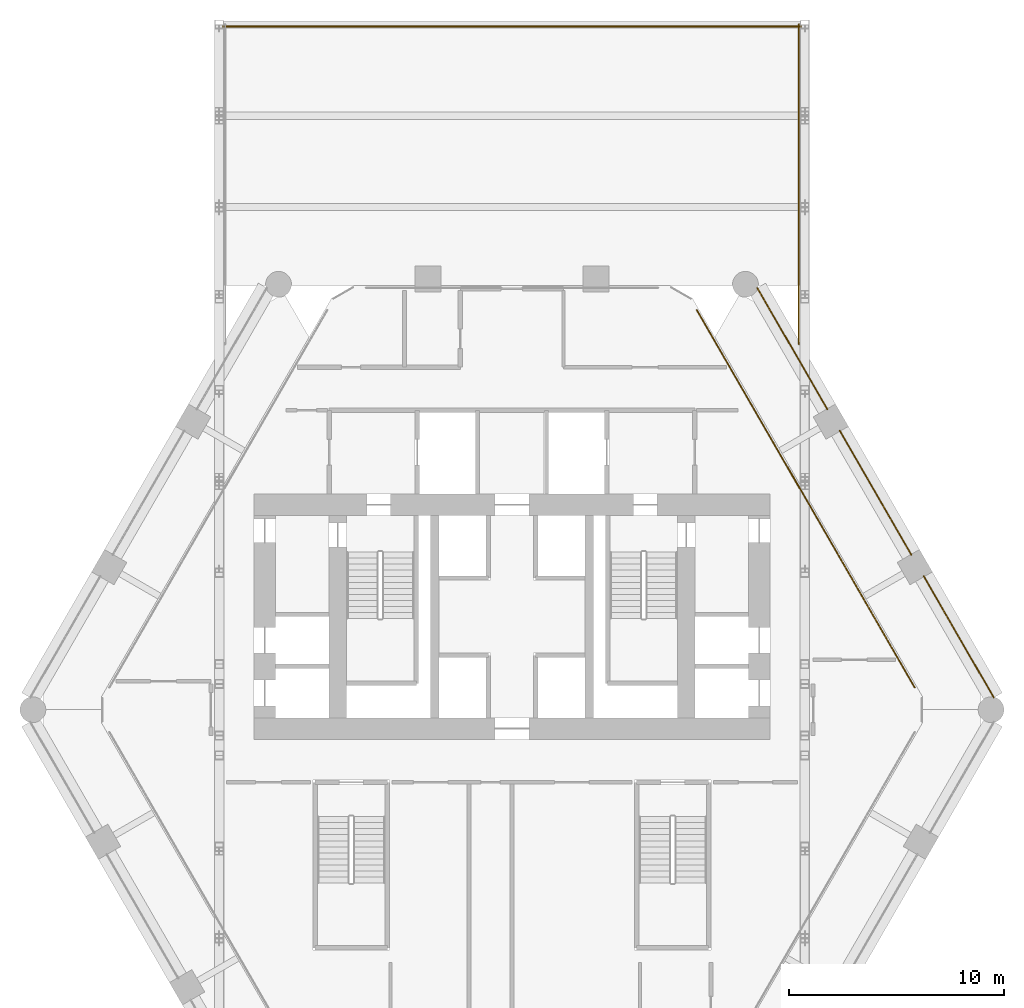
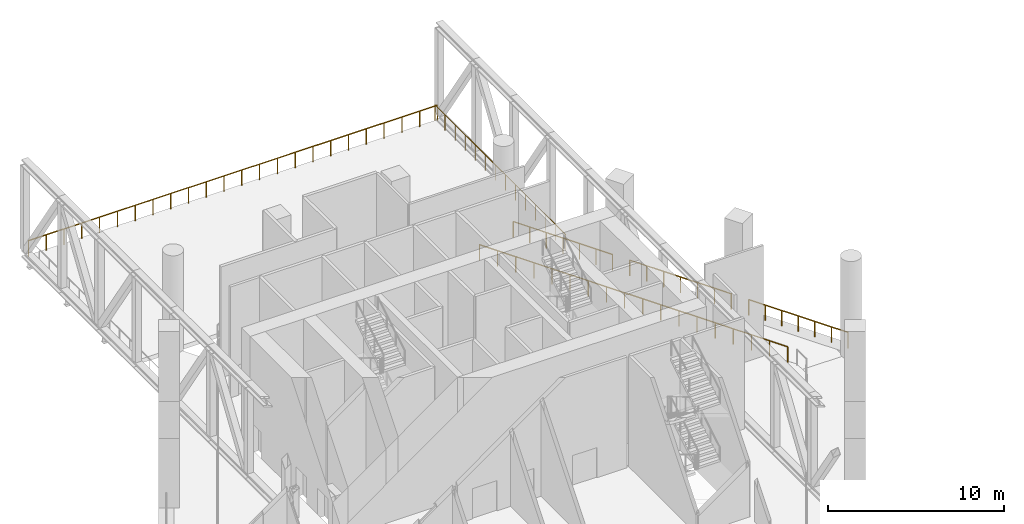
# One storey, part 16 of 16: 6 railings.
"""IFC4 building model written with IfcOpenShell, lengths in metres."""

from ifc_helpers import new_model, si_unit, direction, frame, origin, origin_2d, place, context, subcontext, project, spatial, circle, extrude, material, type_object, element, save


model = new_model("IFC4")

# Units and contexts
model_context = context("Model", 3, precision=1e-05, world=origin(), true_north=direction((0.0, 1.0)))
body_context = subcontext(model_context, "Body", "Model", "MODEL_VIEW")
ifc_project = project(units=[si_unit("LENGTHUNIT", "METRE"), si_unit("AREAUNIT", "SQUARE_METRE"), si_unit("VOLUMEUNIT", "CUBIC_METRE"), si_unit("PLANEANGLEUNIT", "RADIAN"), si_unit("MASSUNIT", "GRAM", prefix="KILO")], contexts=[model_context])

# Site, building, storey
site_placement = place(None, origin())
site = spatial("IfcSite", under=ifc_project, at=site_placement, CompositionType="ELEMENT")
building_placement = place(site_placement, origin())
building = spatial("IfcBuilding", under=site, at=building_placement, Name="Ostrander Bayou Hotel Tower", CompositionType="ELEMENT")
storey_placement = place(building_placement, frame((0.0, 0.0, 108.0)))
storey = spatial("IfcBuildingStorey", under=building, at=storey_placement, Name="L27", CompositionType="ELEMENT", Elevation=108.0)

# Railings
ifc_material = material(Name="Stainless steel and clear glass", Category="steel")
railing_type = type_object("IfcRailingType", Name="GR1 guard 1100 mm", PredefinedType="GUARDRAIL", material=ifc_material)
railing_1_placement = place(storey_placement, frame((22.406494140625, 0.236328125, 0.0)))
element("IfcRailing", 1, at=railing_1_placement, inside=storey, type_object=railing_type, Name="GR1 L27 NE-1 open band guard", PredefinedType="GUARDRAIL", context=body_context, shape_type="SweptSolid", body=[
    extrude(circle(Radius=0.02490234375, at=origin_2d()), frame((0.0, 0.0, 1.0751953125), z_axis=(-0.500000042739, 0.866025379109, 0.0), x_axis=(-0.866025379109, -0.500000042739, 0.0)), (0.0, 0.0, 1.0), 6.52197265625),
    extrude(circle(Radius=0.02001953125, at=origin_2d()), origin(), (0.0, 0.0, 1.0), 1.050048828125),
    extrude(circle(Radius=0.02001953125, at=origin_2d()), frame((-0.54345703125, 0.94140625, 0.0)), (0.0, 0.0, 1.0), 1.050048828125),
    extrude(circle(Radius=0.02001953125, at=origin_2d()), frame((-1.0869140625, 1.8828125, 0.0)), (0.0, 0.0, 1.0), 1.050048828125),
    extrude(circle(Radius=0.02001953125, at=origin_2d()), frame((-1.63037109375, 2.82421875, 0.0)), (0.0, 0.0, 1.0), 1.050048828125),
    extrude(circle(Radius=0.02001953125, at=origin_2d()), frame((-2.174072265625, 3.765380859375, 0.0)), (0.0, 0.0, 1.0), 1.050048828125),
    extrude(circle(Radius=0.02001953125, at=origin_2d()), frame((-2.717529296875, 4.706787109375, 0.0)), (0.0, 0.0, 1.0), 1.050048828125),
    extrude(circle(Radius=0.02001953125, at=origin_2d()), frame((-3.260986328125, 5.648193359375, 0.0)), (0.0, 0.0, 1.0), 1.050048828125),
])
railing_2_placement = place(storey_placement, frame((18.575439453125, 6.87158203125, 0.0)))
element("IfcRailing", 2, at=railing_2_placement, inside=storey, type_object=railing_type, Name="GR1 L27 NE-2 open band guard", PredefinedType="GUARDRAIL", context=body_context, shape_type="SweptSolid", body=[
    extrude(circle(Radius=0.02490234375, at=origin_2d()), frame((0.0, 0.0, 1.0751953125), z_axis=(-0.499999023957, 0.866025967302, 0.0), x_axis=(-0.866025967302, -0.499999023957, 0.0)), (0.0, 0.0, 1.0), 6.67333984375),
    extrude(circle(Radius=0.02001953125, at=origin_2d()), origin(), (0.0, 0.0, 1.0), 1.050048828125),
    extrude(circle(Radius=0.02001953125, at=origin_2d()), frame((-0.55615234375, 0.963134765625, 0.0)), (0.0, 0.0, 1.0), 1.050048828125),
    extrude(circle(Radius=0.02001953125, at=origin_2d()), frame((-1.1123046875, 1.926513671875, 0.0)), (0.0, 0.0, 1.0), 1.050048828125),
    extrude(circle(Radius=0.02001953125, at=origin_2d()), frame((-1.66845703125, 2.8896484375, 0.0)), (0.0, 0.0, 1.0), 1.050048828125),
    extrude(circle(Radius=0.02001953125, at=origin_2d()), frame((-2.224365234375, 3.852783203125, 0.0)), (0.0, 0.0, 1.0), 1.050048828125),
    extrude(circle(Radius=0.02001953125, at=origin_2d()), frame((-2.780517578125, 4.816162109375, 0.0)), (0.0, 0.0, 1.0), 1.050048828125),
    extrude(circle(Radius=0.02001953125, at=origin_2d()), frame((-3.336669921875, 5.779296875, 0.0)), (0.0, 0.0, 1.0), 1.050048828125),
])
railing_3_placement = place(storey_placement, frame((14.668701171875, 13.63818359375, 0.0)))
element("IfcRailing", 3, at=railing_3_placement, inside=storey, type_object=railing_type, Name="GR1 L27 NE-3 open band guard", PredefinedType="GUARDRAIL", context=body_context, shape_type="SweptSolid", body=[
    extrude(circle(Radius=0.02490234375, at=origin_2d()), frame((0.0, 0.0, 1.0751953125), z_axis=(-0.499971966783, 0.866041588165, 0.0), x_axis=(-0.866041588165, -0.499971966783, 0.0)), (0.0, 0.0, 1.0), 6.521728515625),
    extrude(circle(Radius=0.02001953125, at=origin_2d()), origin(), (0.0, 0.0, 1.0), 1.050048828125),
    extrude(circle(Radius=0.02001953125, at=origin_2d()), frame((-0.54345703125, 0.94140625, 0.0)), (0.0, 0.0, 1.0), 1.050048828125),
    extrude(circle(Radius=0.02001953125, at=origin_2d()), frame((-1.0869140625, 1.8828125, 0.0)), (0.0, 0.0, 1.0), 1.050048828125),
    extrude(circle(Radius=0.02001953125, at=origin_2d()), frame((-1.63037109375, 2.82421875, 0.0)), (0.0, 0.0, 1.0), 1.050048828125),
    extrude(circle(Radius=0.02001953125, at=origin_2d()), frame((-2.173828125, 3.765380859375, 0.0)), (0.0, 0.0, 1.0), 1.050048828125),
    extrude(circle(Radius=0.02001953125, at=origin_2d()), frame((-2.71728515625, 4.706787109375, 0.0)), (0.0, 0.0, 1.0), 1.050048828125),
    extrude(circle(Radius=0.02001953125, at=origin_2d()), frame((-3.2607421875, 5.648193359375, 0.0)), (0.0, 0.0, 1.0), 1.050048828125),
])
railing_4_placement = place(storey_placement, frame((8.59326171875, 18.26123046875, 0.0)))
element("IfcRailing", 4, at=railing_4_placement, inside=storey, type_object=railing_type, Name="GR1 L27 edge guard 2", PredefinedType="GUARDRAIL", context=body_context, shape_type="SweptSolid", body=[
    extrude(circle(Radius=0.02490234375, at=origin_2d()), frame((0.0, 0.0, 1.0751953125), z_axis=(0.500006806057, -0.86602147427, 0.0), x_axis=(0.86602147427, 0.500006806057, 0.0)), (0.0, 0.0, 1.0), 20.264892578125),
    extrude(circle(Radius=0.02001953125, at=origin_2d()), origin(), (0.0, 0.0, 1.0), 1.050048828125),
    extrude(circle(Radius=0.02001953125, at=origin_2d()), frame((0.595947265625, -1.0322265625, 0.0)), (0.0, 0.0, 1.0), 1.050048828125),
    extrude(circle(Radius=0.02001953125, at=origin_2d()), frame((1.192138671875, -2.064697265625, 0.0)), (0.0, 0.0, 1.0), 1.050048828125),
    extrude(circle(Radius=0.02001953125, at=origin_2d()), frame((1.7880859375, -3.096923828125, 0.0)), (0.0, 0.0, 1.0), 1.050048828125),
    extrude(circle(Radius=0.02001953125, at=origin_2d()), frame((2.384033203125, -4.12939453125, 0.0)), (0.0, 0.0, 1.0), 1.050048828125),
    extrude(circle(Radius=0.02001953125, at=origin_2d()), frame((2.980224609375, -5.16162109375, 0.0)), (0.0, 0.0, 1.0), 1.050048828125),
    extrude(circle(Radius=0.02001953125, at=origin_2d()), frame((3.576171875, -6.194091796875, 0.0)), (0.0, 0.0, 1.0), 1.050048828125),
    extrude(circle(Radius=0.02001953125, at=origin_2d()), frame((4.172119140625, -7.226318359375, 0.0)), (0.0, 0.0, 1.0), 1.050048828125),
    extrude(circle(Radius=0.02001953125, at=origin_2d()), frame((4.768310546875, -8.2587890625, 0.0)), (0.0, 0.0, 1.0), 1.050048828125),
    extrude(circle(Radius=0.02001953125, at=origin_2d()), frame((5.3642578125, -9.291015625, 0.0)), (0.0, 0.0, 1.0), 1.050048828125),
    extrude(circle(Radius=0.02001953125, at=origin_2d()), frame((5.96044921875, -10.323486328125, 0.0)), (0.0, 0.0, 1.0), 1.050048828125),
    extrude(circle(Radius=0.02001953125, at=origin_2d()), frame((6.556396484375, -11.355712890625, 0.0)), (0.0, 0.0, 1.0), 1.050048828125),
    extrude(circle(Radius=0.02001953125, at=origin_2d()), frame((7.15234375, -12.38818359375, 0.0)), (0.0, 0.0, 1.0), 1.050048828125),
    extrude(circle(Radius=0.02001953125, at=origin_2d()), frame((7.74853515625, -13.42041015625, 0.0)), (0.0, 0.0, 1.0), 1.050048828125),
    extrude(circle(Radius=0.02001953125, at=origin_2d()), frame((8.344482421875, -14.452880859375, 0.0)), (0.0, 0.0, 1.0), 1.050048828125),
    extrude(circle(Radius=0.02001953125, at=origin_2d()), frame((8.9404296875, -15.485107421875, 0.0)), (0.0, 0.0, 1.0), 1.050048828125),
    extrude(circle(Radius=0.02001953125, at=origin_2d()), frame((9.53662109375, -16.517578125, 0.0)), (0.0, 0.0, 1.0), 1.050048828125),
    extrude(circle(Radius=0.02001953125, at=origin_2d()), frame((10.132568359375, -17.5498046875, 0.0)), (0.0, 0.0, 1.0), 1.050048828125),
])
railing_5_placement = place(storey_placement, frame((13.34228515625, 16.662841796875, 0.0)))
element("IfcRailing", 5, at=railing_5_placement, inside=storey, type_object=railing_type, Name="GR1 bar roof guard SB2 5", PredefinedType="GUARDRAIL", context=body_context, shape_type="SweptSolid", body=[
    extrude(circle(Radius=0.02490234375, at=origin_2d()), frame((0.0, 0.0, 1.0751953125), z_axis=(0.0, 1.0, 0.0), x_axis=(-1.0, 0.0, 0.0)), (0.0, 0.0, 1.0), 14.882568359375),
    extrude(circle(Radius=0.02001953125, at=origin_2d()), origin(), (0.0, 0.0, 1.0), 1.050048828125),
    extrude(circle(Radius=0.02001953125, at=origin_2d()), frame((0.0, 1.144775390625, 0.0)), (0.0, 0.0, 1.0), 1.050048828125),
    extrude(circle(Radius=0.02001953125, at=origin_2d()), frame((0.0, 2.28955078125, 0.0)), (0.0, 0.0, 1.0), 1.050048828125),
    extrude(circle(Radius=0.02001953125, at=origin_2d()), frame((0.0, 3.434326171875, 0.0)), (0.0, 0.0, 1.0), 1.050048828125),
    extrude(circle(Radius=0.02001953125, at=origin_2d()), frame((0.0, 4.579345703125, 0.0)), (0.0, 0.0, 1.0), 1.050048828125),
    extrude(circle(Radius=0.02001953125, at=origin_2d()), frame((0.0, 5.72412109375, 0.0)), (0.0, 0.0, 1.0), 1.050048828125),
    extrude(circle(Radius=0.02001953125, at=origin_2d()), frame((0.0, 6.868896484375, 0.0)), (0.0, 0.0, 1.0), 1.050048828125),
    extrude(circle(Radius=0.02001953125, at=origin_2d()), frame((0.0, 8.013671875, 0.0)), (0.0, 0.0, 1.0), 1.050048828125),
    extrude(circle(Radius=0.02001953125, at=origin_2d()), frame((0.0, 9.158447265625, 0.0)), (0.0, 0.0, 1.0), 1.050048828125),
    extrude(circle(Radius=0.02001953125, at=origin_2d()), frame((0.0, 10.30322265625, 0.0)), (0.0, 0.0, 1.0), 1.050048828125),
    extrude(circle(Radius=0.02001953125, at=origin_2d()), frame((0.0, 11.4482421875, 0.0)), (0.0, 0.0, 1.0), 1.050048828125),
    extrude(circle(Radius=0.02001953125, at=origin_2d()), frame((0.0, 12.593017578125, 0.0)), (0.0, 0.0, 1.0), 1.050048828125),
    extrude(circle(Radius=0.02001953125, at=origin_2d()), frame((0.0, 13.73779296875, 0.0)), (0.0, 0.0, 1.0), 1.050048828125),
    extrude(circle(Radius=0.02001953125, at=origin_2d()), frame((0.0, 14.882568359375, 0.0)), (0.0, 0.0, 1.0), 1.050048828125),
])
railing_6_placement = place(storey_placement, frame((13.442138671875, 31.4453125, 0.0)))
element("IfcRailing", 6, at=railing_6_placement, inside=storey, type_object=railing_type, Name="GR1 bar roof guard SB2 6", PredefinedType="GUARDRAIL", context=body_context, shape_type="SweptSolid", body=[
    extrude(circle(Radius=0.02490234375, at=origin_2d()), frame((0.0, 0.0, 1.0751953125), z_axis=(-1.0, 0.0, 0.0), x_axis=(0.0, -1.0, 0.0)), (0.0, 0.0, 1.0), 26.88427734375),
    extrude(circle(Radius=0.02001953125, at=origin_2d()), origin(), (0.0, 0.0, 1.0), 1.050048828125),
    extrude(circle(Radius=0.02001953125, at=origin_2d()), frame((-1.1689453125, 0.0, 0.0)), (0.0, 0.0, 1.0), 1.050048828125),
    extrude(circle(Radius=0.02001953125, at=origin_2d()), frame((-2.337646484375, 0.0, 0.0)), (0.0, 0.0, 1.0), 1.050048828125),
    extrude(circle(Radius=0.02001953125, at=origin_2d()), frame((-3.506591796875, 0.0, 0.0)), (0.0, 0.0, 1.0), 1.050048828125),
    extrude(circle(Radius=0.02001953125, at=origin_2d()), frame((-4.675537109375, 0.0, 0.0)), (0.0, 0.0, 1.0), 1.050048828125),
    extrude(circle(Radius=0.02001953125, at=origin_2d()), frame((-5.844482421875, 0.0, 0.0)), (0.0, 0.0, 1.0), 1.050048828125),
    extrude(circle(Radius=0.02001953125, at=origin_2d()), frame((-7.01318359375, 0.0, 0.0)), (0.0, 0.0, 1.0), 1.050048828125),
    extrude(circle(Radius=0.02001953125, at=origin_2d()), frame((-8.18212890625, 0.0, 0.0)), (0.0, 0.0, 1.0), 1.050048828125),
    extrude(circle(Radius=0.02001953125, at=origin_2d()), frame((-9.35107421875, 0.0, 0.0)), (0.0, 0.0, 1.0), 1.050048828125),
    extrude(circle(Radius=0.02001953125, at=origin_2d()), frame((-10.52001953125, 0.0, 0.0)), (0.0, 0.0, 1.0), 1.050048828125),
    extrude(circle(Radius=0.02001953125, at=origin_2d()), frame((-11.688720703125, 0.0, 0.0)), (0.0, 0.0, 1.0), 1.050048828125),
    extrude(circle(Radius=0.02001953125, at=origin_2d()), frame((-12.857666015625, 0.0, 0.0)), (0.0, 0.0, 1.0), 1.050048828125),
    extrude(circle(Radius=0.02001953125, at=origin_2d()), frame((-14.026611328125, 0.0, 0.0)), (0.0, 0.0, 1.0), 1.050048828125),
    extrude(circle(Radius=0.02001953125, at=origin_2d()), frame((-15.195556640625, 0.0, 0.0)), (0.0, 0.0, 1.0), 1.050048828125),
    extrude(circle(Radius=0.02001953125, at=origin_2d()), frame((-16.3642578125, 0.0, 0.0)), (0.0, 0.0, 1.0), 1.050048828125),
    extrude(circle(Radius=0.02001953125, at=origin_2d()), frame((-17.533203125, 0.0, 0.0)), (0.0, 0.0, 1.0), 1.050048828125),
    extrude(circle(Radius=0.02001953125, at=origin_2d()), frame((-18.7021484375, 0.0, 0.0)), (0.0, 0.0, 1.0), 1.050048828125),
    extrude(circle(Radius=0.02001953125, at=origin_2d()), frame((-19.87109375, 0.0, 0.0)), (0.0, 0.0, 1.0), 1.050048828125),
    extrude(circle(Radius=0.02001953125, at=origin_2d()), frame((-21.039794921875, 0.0, 0.0)), (0.0, 0.0, 1.0), 1.050048828125),
    extrude(circle(Radius=0.02001953125, at=origin_2d()), frame((-22.208740234375, 0.0, 0.0)), (0.0, 0.0, 1.0), 1.050048828125),
    extrude(circle(Radius=0.02001953125, at=origin_2d()), frame((-23.377685546875, 0.0, 0.0)), (0.0, 0.0, 1.0), 1.050048828125),
    extrude(circle(Radius=0.02001953125, at=origin_2d()), frame((-24.546630859375, 0.0, 0.0)), (0.0, 0.0, 1.0), 1.050048828125),
    extrude(circle(Radius=0.02001953125, at=origin_2d()), frame((-25.71533203125, 0.0, 0.0)), (0.0, 0.0, 1.0), 1.050048828125),
    extrude(circle(Radius=0.02001953125, at=origin_2d()), frame((-26.88427734375, 0.0, 0.0)), (0.0, 0.0, 1.0), 1.050048828125),
])

save(model, "model.ifc")
